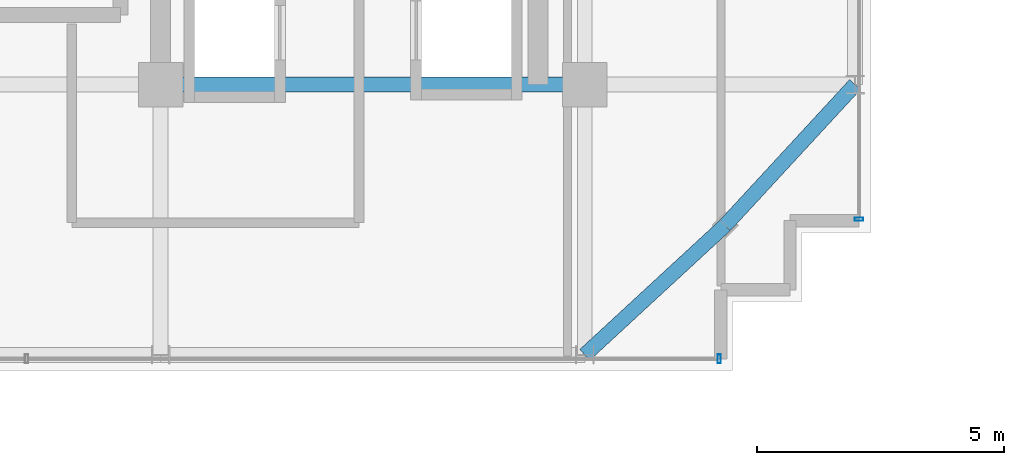
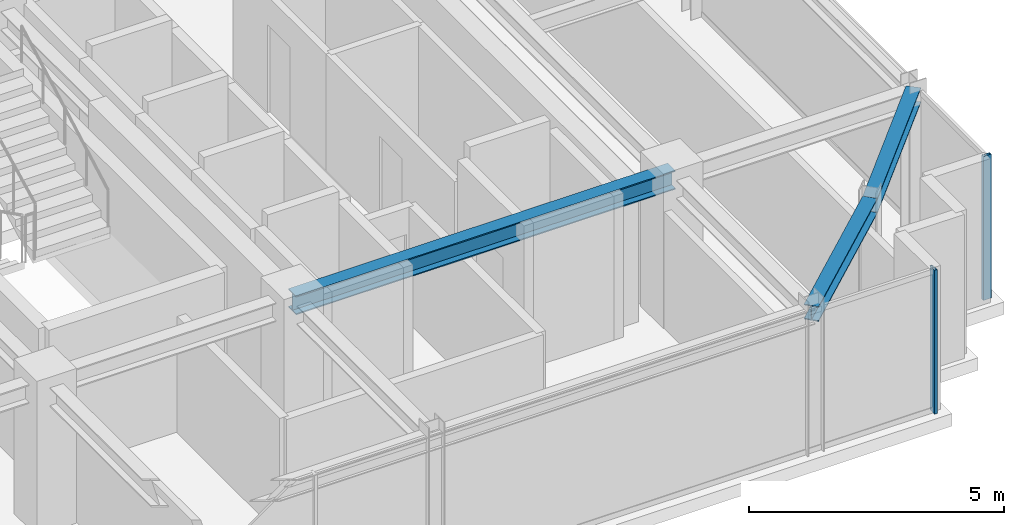
# One storey, part 11 of 33: 3 beams, 2 members, 2 elements without a shape of their own.
"""IFC4 building model written with IfcOpenShell, lengths in metres."""

from ifc_helpers import new_model, si_unit, direction, frame, origin, origin_2d, place, context, subcontext, project, spatial, hollow_rectangle, i_section, extrude, source, transform, mapped, material, material_profile, profile_set, type_object, element, aggregate, save


model = new_model("IFC4")

# Units and contexts
model_context = context("Model", 3, precision=1e-05, world=origin(), true_north=direction((0.0, 1.0)))
body_context = subcontext(model_context, "Body", "Model", "MODEL_VIEW")
ifc_project = project(units=[si_unit("LENGTHUNIT", "METRE"), si_unit("AREAUNIT", "SQUARE_METRE"), si_unit("VOLUMEUNIT", "CUBIC_METRE"), si_unit("PLANEANGLEUNIT", "RADIAN"), si_unit("MASSUNIT", "GRAM", prefix="KILO")], contexts=[model_context])

# Site, building, storey
site_placement = place(None, origin())
site = spatial("IfcSite", under=ifc_project, at=site_placement, CompositionType="ELEMENT")
building_placement = place(site_placement, origin())
building = spatial("IfcBuilding", under=site, at=building_placement, Name="Nahalor Promenade Grand Hotel", CompositionType="ELEMENT")
storey_placement = place(building_placement, frame((0.0, 0.0, 270.050048828125)))
storey = spatial("IfcBuildingStorey", under=building, at=storey_placement, Name="L69", CompositionType="ELEMENT", Elevation=270.050048828125)

# Beams
ifc_material_1 = material(Name="Steel S355JR", Category="steel")
ifc_material_profile_1 = material_profile(ifc_material_1, i_section(OverallWidth=0.3, OverallDepth=0.45, WebThickness=0.014, FlangeThickness=0.026, at=origin_2d()), Name="HEB 450")
ifc_profile_set_1 = profile_set([ifc_material_profile_1], Name="Steel S355JR")
beam_type_1 = type_object("IfcBeamType", Name="Beam-Girder-HEB450", PredefinedType="BEAM", material=ifc_profile_set_1)
shared_shape_1 = source(origin(), body_context, "Body", "SweptSolid", [
    extrude(i_section(OverallWidth=0.3, OverallDepth=0.45, WebThickness=0.014, FlangeThickness=0.026, at=origin_2d()), origin(), (0.0, 0.0, 1.0), 8.60009765625),
])
beam_placement = place(storey_placement, frame((8.39990234375, -17.0, 3.224853515625), z_axis=(1.0, 0.0, 0.0), x_axis=(0.0, 1.0, 0.0)))
element("IfcBeam", 1, at=beam_placement, inside=storey, type_object=beam_type_1, Name="BM-L69-GX-0-5", PredefinedType="BEAM", context=body_context, shape_type="MappedRepresentation", body=[
    mapped(shared_shape_1, transform((0.0, 0.0, 0.0), scale=1.0)),
])
ifc_material_profile_2 = material_profile(ifc_material_1, i_section(OverallWidth=0.3, OverallDepth=0.36, WebThickness=0.0125, FlangeThickness=0.0225, at=origin_2d()), Name="HEB 360")
ifc_profile_set_2 = profile_set([ifc_material_profile_2], Name="Steel S355JR")
beam_type_2 = type_object("IfcBeamType", Name="Beam-Spandrel-HEB360", PredefinedType="SPANDREL", material=ifc_profile_set_2)
shared_shape_2 = source(origin(), body_context, "Body", "SweptSolid", [
    extrude(i_section(OverallWidth=0.3, OverallDepth=0.36, WebThickness=0.0125, FlangeThickness=0.0225, at=origin_2d()), origin(), (0.0, 0.0, 1.0), 3.878173828125),
])
for number, where, z_axis, x_axis, name in (
    (2, (17.0, -22.47998046875, 3.27001953125), (0.73492893846, 0.678144125843, 0.0), (-0.678144125843, 0.73492893846, 0.0), "BM-L69-SPC-SE-1"),
    (3, (19.85009765625, -19.85009765625, 3.27001953125), (0.678144125843, 0.73492893846, 0.0), (-0.73492893846, 0.678144125843, 0.0), "BM-L69-SPC-SE-2"),
):
    element("IfcBeam", number, at=place(storey_placement, frame(where, z_axis=z_axis, x_axis=x_axis)), inside=storey, type_object=beam_type_2, Name=name, PredefinedType="SPANDREL", context=body_context, shape_type="MappedRepresentation", body=[
        mapped(shared_shape_2, transform((0.0, 0.0, 0.0), scale=1.0)),
    ])

# Curtain wall, member
ifc_material_2 = material(Name="Anodised Bronze Aluminium EN AW-6063 T6", Category="aluminium")
curtain_wall_type = type_object("IfcCurtainWallType", Name="CW2 Typical Hotel Flush Bronze Unitised Curtain Wall", PredefinedType="USERDEFINED", material=ifc_material_2)
curtain_wall_1_placement = place(storey_placement, origin())
curtain_wall_1 = element("IfcCurtainWall", 4, at=curtain_wall_1_placement, inside=storey, type_object=curtain_wall_type, Name="L69 Curtain Wall CW-L69-S-3", ObjectType="UNITISED_CURTAIN_WALL", PredefinedType="USERDEFINED")
ifc_material_profile_3 = material_profile(ifc_material_2, hollow_rectangle(XDim=0.065, YDim=0.18, WallThickness=0.004, at=origin_2d()), Name="CWM 65x180x4")
ifc_profile_set_3 = profile_set([ifc_material_profile_3], Name="Anodised Bronze Aluminium EN AW-6063 T6")
member_type = type_object("IfcMemberType", Name="CWM2 Typical Bronze Mullion 65x180", PredefinedType="MULLION", material=ifc_profile_set_3)
shared_shape_3 = source(origin(), body_context, "Body", "SweptSolid", [
    extrude(hollow_rectangle(XDim=0.065, YDim=0.18, WallThickness=0.004, at=origin_2d()), origin(), (0.0, 0.0, 1.0), 3.449951171875),
])
member_1_placement = place(storey_placement, frame((19.7275390625, -22.56005859375, 0.0), z_axis=(0.0, 0.0, 1.0), x_axis=(1.0, 0.0, 0.0)))
member_1 = element("IfcMember", 5, at=member_1_placement, type_object=member_type, Name="CW-L69-S-3 Mullion 2", PredefinedType="MULLION", context=body_context, shape_type="MappedRepresentation", body=[
    mapped(shared_shape_3, transform((0.0, 0.0, 0.0), scale=1.0)),
])
aggregate(curtain_wall_1, [member_1])

curtain_wall_2_placement = place(storey_placement, origin())
curtain_wall_2 = element("IfcCurtainWall", 6, at=curtain_wall_2_placement, inside=storey, type_object=curtain_wall_type, Name="L69 Curtain Wall CW-L69-E-1", ObjectType="UNITISED_CURTAIN_WALL", PredefinedType="USERDEFINED")
member_2_placement = place(storey_placement, frame((22.56005859375, -19.7275390625, 0.0), z_axis=(0.0, 0.0, 1.0), x_axis=(0.0, 1.0, 0.0)))
member_2 = element("IfcMember", 7, at=member_2_placement, type_object=member_type, Name="CW-L69-E-1 Mullion 0", PredefinedType="MULLION", context=body_context, shape_type="MappedRepresentation", body=[
    mapped(shared_shape_3, transform((0.0, 0.0, 0.0), scale=1.0)),
])
aggregate(curtain_wall_2, [member_2])

save(model, "model.ifc")
